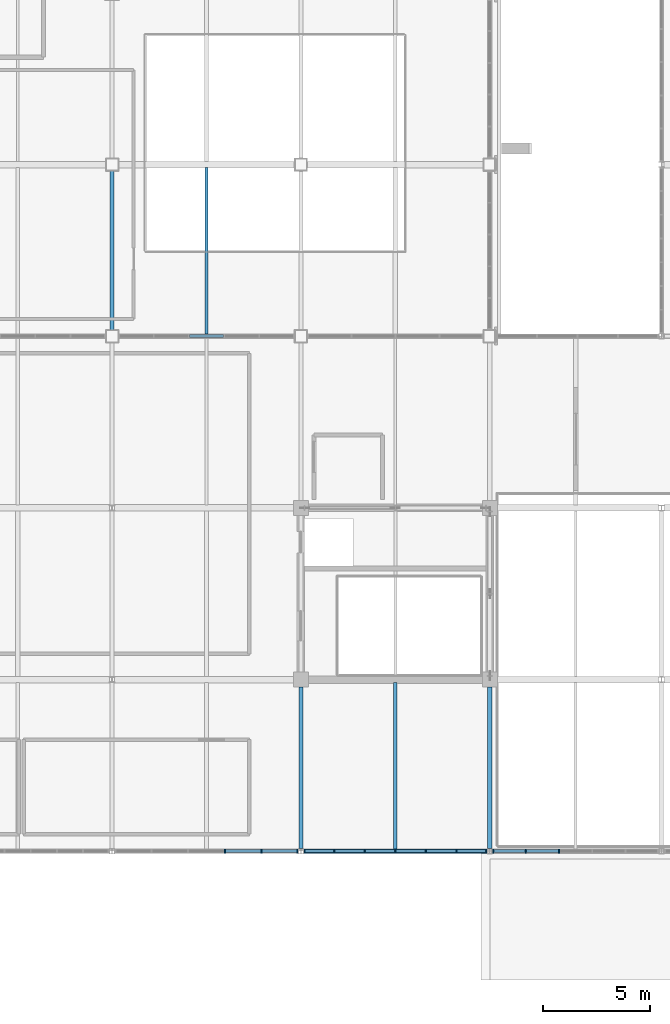
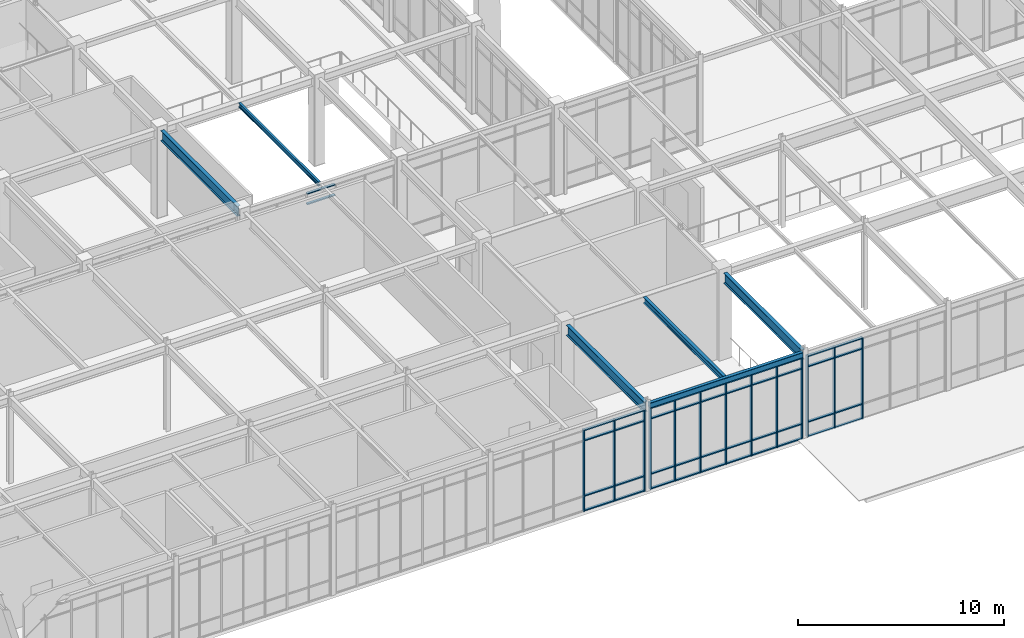
# One storey, part 30 of 184: 55 members, 6 beams, 4 elements without a shape of their own.
"""IFC4 building model written with IfcOpenShell, lengths in metres."""

import ifcopenshell
import ifcopenshell.guid

model = None  # the IFC model being written
_history = None  # IfcOwnerHistory: only IFC2X3 demands one
_inside = {}  # id of a spatial element -> (the spatial element, [elements in it])
_under = {}  # id of a project, library or spatial element -> (it, [spatial elements below it])
_declared = {}  # id of a project -> (the project, [libraries it declares])
_typed = {}  # id of a type object -> (the type object, [elements of that type])
_made_of = {}  # id of a material, layer set ... -> (it, [elements and type objects made of it])


def new_model(schema):
    """Start an empty IFC model of exactly this schema.

    Asked for "IFC4X3", IfcOpenShell would pick the latest addendum, in which some entities
    have other attributes; the version numbers below select the first issue.
    IFC2X3 requires an IfcOwnerHistory on every rooted entity: one is made here for all.
    """
    global model, _history
    if schema == "IFC4X3":
        model = ifcopenshell.file(schema_version=(4, 3, 0, 0))
    else:
        model = ifcopenshell.file(schema=schema)
    _inside.clear()
    _under.clear()
    _declared.clear()
    _typed.clear()
    _made_of.clear()
    _history = None
    if model.schema == "IFC2X3":
        org = make("IfcOrganization", Name="unknown")
        user = make(
            "IfcPersonAndOrganization",
            ThePerson=make("IfcPerson", FamilyName="unknown"),
            TheOrganization=org,
        )
        app = make(
            "IfcApplication",
            ApplicationDeveloper=org,
            Version="unknown",
            ApplicationFullName="unknown",
            ApplicationIdentifier="unknown",
        )
        _history = make(
            "IfcOwnerHistory",
            OwningUser=user,
            OwningApplication=app,
            ChangeAction="ADDED",
            CreationDate=0,
        )
    return model


def make(cls, **values):
    """One entity of the class cls with the attributes given. An attribute that is None is left unset."""
    return model.create_entity(
        cls, **{name: value for name, value in values.items() if value is not None}
    )


def rooted(cls, **values):
    """An entity with a GlobalId (a new one), such as an element, a storey or a relation."""
    return make(cls, GlobalId=ifcopenshell.guid.new(), OwnerHistory=_history, **values)


def si_unit(unit_type, name, prefix=None):
    """IfcSIUnit, for example si_unit("LENGTHUNIT", "METRE", prefix="MILLI")."""
    return make("IfcSIUnit", UnitType=unit_type, Prefix=prefix, Name=name)


def assignment(units):
    """IfcUnitAssignment: the units of a project."""
    return None if units is None else make("IfcUnitAssignment", Units=units)


def point(xyz):
    """IfcCartesianPoint."""
    return None if xyz is None else make("IfcCartesianPoint", Coordinates=xyz)


def direction(xyz):
    """IfcDirection."""
    return None if xyz is None else make("IfcDirection", DirectionRatios=xyz)


def frame(location, z_axis=None, x_axis=None):
    """IfcAxis2Placement3D, a coordinate frame: its origin and axes. An axis left out is left unset."""
    return make(
        "IfcAxis2Placement3D",
        Location=point(location),
        Axis=direction(z_axis),
        RefDirection=direction(x_axis),
    )


def frame_2d(location, x_axis=None):
    """IfcAxis2Placement2D, a coordinate frame in the plane: its origin and x axis."""
    return make(
        "IfcAxis2Placement2D", Location=point(location), RefDirection=direction(x_axis)
    )


def origin():
    """The frame at (0, 0, 0) with its axes left unset."""
    return frame((0.0, 0.0, 0.0))


def origin_2d():
    """The frame at (0, 0) in the plane with its x axis left unset."""
    return frame_2d((0.0, 0.0))


def place(relative_to, where):
    """IfcLocalPlacement: puts the frame where relative to a parent placement (None: the world)."""
    return make(
        "IfcLocalPlacement", PlacementRelTo=relative_to, RelativePlacement=where
    )


def context(
    kind, dimensions, precision=None, world=None, true_north=None, identifier=None
):
    """IfcGeometricRepresentationContext, for example the 3D "Model" context."""
    return make(
        "IfcGeometricRepresentationContext",
        ContextIdentifier=identifier,
        ContextType=kind,
        CoordinateSpaceDimension=dimensions,
        Precision=precision,
        WorldCoordinateSystem=world,
        TrueNorth=true_north,
    )


def subcontext(parent, identifier, kind, view, scale=None):
    """IfcGeometricRepresentationSubContext, for example "Body" below "Model"."""
    return make(
        "IfcGeometricRepresentationSubContext",
        ContextIdentifier=identifier,
        ContextType=kind,
        ParentContext=parent,
        TargetScale=scale,
        TargetView=view,
    )


def project(units=None, contexts=None):
    """IfcProject with its units and contexts."""
    return rooted(
        "IfcProject",
        Name="project",
        RepresentationContexts=contexts,
        UnitsInContext=assignment(units),
    )


def spatial(cls, under=None, at=None, **own):
    """A site, building, storey or space (cls), placed at a placement, below another one or the project."""
    s = rooted(cls, ObjectPlacement=at, **own)
    if under is not None:
        _under.setdefault(under.id(), (under, []))[1].append(s)
    return s


def profile(cls, at=None, kind="AREA", **sizes):
    """A parametric profile (cls). Its sizes go by their IFC names, for example OverallWidth=200.0."""
    return make(cls, ProfileType=kind, Position=at, **sizes)


def rectangle(**sizes):
    """IfcRectangleProfileDef."""
    return profile("IfcRectangleProfileDef", **sizes)


def hollow_rectangle(**sizes):
    """IfcRectangleHollowProfileDef."""
    return profile("IfcRectangleHollowProfileDef", **sizes)


def i_section(**sizes):
    """IfcIShapeProfileDef."""
    return profile("IfcIShapeProfileDef", **sizes)


def extrude(swept, where, along, depth):
    """IfcExtrudedAreaSolid: the profile swept, set in the frame where, extruded along a direction by depth."""
    return make(
        "IfcExtrudedAreaSolid",
        SweptArea=swept,
        Position=where,
        ExtrudedDirection=direction(along),
        Depth=depth,
    )


def shape(context_of_items, identifier, shape_type, items):
    """IfcShapeRepresentation: the items that make up one representation, for example the "Body"."""
    return make(
        "IfcShapeRepresentation",
        ContextOfItems=context_of_items,
        RepresentationIdentifier=identifier,
        RepresentationType=shape_type,
        Items=items,
    )


def material(Name=None, Category=None):
    """IfcMaterial."""
    return make("IfcMaterial", Name=Name, Category=Category)


def material_profile(
    of_material, cross_section, Name=None, Category=None, Priority=None
):
    """IfcMaterialProfile: a cross section and its material."""
    return make(
        "IfcMaterialProfile",
        Name=Name,
        Material=of_material,
        Profile=cross_section,
        Priority=Priority,
        Category=Category,
    )


def profile_set(profiles, Name=None, composite=None):
    """IfcMaterialProfileSet."""
    return make(
        "IfcMaterialProfileSet",
        Name=Name,
        MaterialProfiles=profiles,
        CompositeProfile=composite,
    )


def made_of(thing, what):
    """Note that an element or type object is made of a material, layer set ...; save() writes the relation."""
    if what is not None:
        _made_of.setdefault(what.id(), (what, []))[1].append(thing)
    return thing


def type_object(cls, material=None, **own):
    """A type object (cls), such as IfcWallType, which elements share."""
    return made_of(rooted(cls, **own), material)


def element(
    cls,
    number,
    at=None,
    inside=None,
    cuts=None,
    type_object=None,
    material=None,
    context=None,
    identifier="Body",
    shape_type=None,
    held_by="IfcProductDefinitionShape",
    body=None,
    shapes=None,
    **own,
):
    """One element of the class cls, such as IfcWall. Its Tag is "e" and its number.

    at: its placement. inside: the storey or other place that contains it. cuts: it is an
    opening in that element (IfcRelVoidsElement). A single representation is given by context,
    identifier, shape_type and body (its items); several are given by shapes. held_by: the class
    of the entity that holds the representations. save() writes the other relations.
    """
    e = rooted(cls, Tag="e%d" % number, ObjectPlacement=at, **own)
    if body is not None:
        shapes = [shape(context, identifier, shape_type, body)]
    if shapes is not None:
        e.Representation = make(held_by, Representations=shapes)
    if inside is not None:
        _inside.setdefault(inside.id(), (inside, []))[1].append(e)
    if cuts is not None:
        rooted(
            "IfcRelVoidsElement", RelatingBuildingElement=cuts, RelatedOpeningElement=e
        )
    if type_object is not None:
        _typed.setdefault(type_object.id(), (type_object, []))[1].append(e)
    return made_of(e, material)


def aggregate(whole, parts):
    """IfcRelAggregates: a whole, such as a stair, and the parts it consists of."""
    return rooted("IfcRelAggregates", RelatingObject=whole, RelatedObjects=parts)


def save(model, path):
    """Write the relations noted so far, then the file.

    IfcRelAggregates (storeys below a building ...), IfcRelContainedInSpatialStructure (elements
    in a storey), IfcRelDefinesByType, IfcRelAssociatesMaterial and IfcRelDeclares: one each for
    every whole, place, type object, material and project.
    """
    for whole, parts in _under.values():
        aggregate(whole, parts)
    for where, things in _inside.values():
        rooted(
            "IfcRelContainedInSpatialStructure",
            RelatedElements=things,
            RelatingStructure=where,
        )
    for kind, things in _typed.values():
        rooted("IfcRelDefinesByType", RelatedObjects=things, RelatingType=kind)
    for what, things in _made_of.values():
        rooted("IfcRelAssociatesMaterial", RelatedObjects=things, RelatingMaterial=what)
    for by, libraries in _declared.values():
        rooted("IfcRelDeclares", RelatingContext=by, RelatedDefinitions=libraries)
    model.write(path)


model = new_model("IFC4")

# Units and contexts
model_context = context("Model", 3, precision=1e-05, world=origin(), true_north=direction((0.0, 1.0)))
body_context = subcontext(model_context, "Body", "Model", "MODEL_VIEW")
ifc_project = project(units=[si_unit("LENGTHUNIT", "METRE"), si_unit("AREAUNIT", "SQUARE_METRE"), si_unit("VOLUMEUNIT", "CUBIC_METRE"), si_unit("PLANEANGLEUNIT", "RADIAN"), si_unit("MASSUNIT", "GRAM", prefix="KILO")], contexts=[model_context])

# Site, building, storey
site_placement = place(None, origin())
site = spatial("IfcSite", under=ifc_project, at=site_placement, CompositionType="ELEMENT")
building_placement = place(site_placement, origin())
building = spatial("IfcBuilding", under=site, at=building_placement, Name="Zhaolan Boulevard Law Courts", CompositionType="ELEMENT")
storey_placement = place(building_placement, frame((0.0, 0.0, 5.39990234375)))
storey = spatial("IfcBuildingStorey", under=building, at=storey_placement, Name="L01", CompositionType="ELEMENT", Elevation=5.39990234375)

# Curtain wall, members
ifc_material_1 = material(Name="Thermally broken aluminium and low-E glazing", Category="aluminium")
curtain_wall_type_1 = type_object("IfcCurtainWallType", Name="CURTAIN WALL M7", PredefinedType="USERDEFINED", material=ifc_material_1)
curtain_wall_1_placement = place(storey_placement, origin())
curtain_wall_1 = element("IfcCurtainWall", 1, at=curtain_wall_1_placement, inside=storey, type_object=curtain_wall_type_1, Name="Curtain Wall CW-L01-031", ObjectType="CURTAIN WALL", PredefinedType="USERDEFINED")
ifc_material_2 = material(Name="Fluorocarbon-coated aluminium 6063-T6", Category="aluminium")
ifc_material_profile_1 = material_profile(ifc_material_2, rectangle(XDim=0.179931640625, YDim=0.06494140625, at=origin_2d()), Name="AL65x180")
ifc_profile_set_1 = profile_set([ifc_material_profile_1], Name="Fluorocarbon-coated aluminium 6063-T6")
member_type_1 = type_object("IfcMemberType", Name="CWMULLION 65X180", PredefinedType="MULLION", material=ifc_profile_set_1)
member_1_placement = place(storey_placement, frame((31.654541015625, 6.0, 0.0), z_axis=(0.0, 0.0, 1.0), x_axis=(0.0, 1.0, 0.0)))
member_1 = element("IfcMember", 2, at=member_1_placement, type_object=member_type_1, Name="CW-L01-031 mullion 4", PredefinedType="MULLION", context=body_context, shape_type="SweptSolid", body=[
    extrude(rectangle(XDim=0.179931640625, YDim=0.06494140625, at=origin_2d()), origin(), (0.0, 0.0, 1.0), 4.822998046875),
])
member_2_placement = place(storey_placement, frame((33.36376953125, 6.0, 0.0), z_axis=(0.0, 0.0, 1.0), x_axis=(0.0, 1.0, 0.0)))
member_2 = element("IfcMember", 3, at=member_2_placement, type_object=member_type_1, Name="CW-L01-031 mullion 5", PredefinedType="MULLION", context=body_context, shape_type="SweptSolid", body=[
    extrude(rectangle(XDim=0.179931640625, YDim=0.06494140625, at=origin_2d()), origin(), (0.0, 0.0, 1.0), 4.822998046875),
])
member_3_placement = place(storey_placement, frame((35.04052734375, 6.0, 0.0), z_axis=(0.0, 0.0, 1.0), x_axis=(0.0, 1.0, 0.0)))
member_3 = element("IfcMember", 4, at=member_3_placement, type_object=member_type_1, Name="CW-L01-031 mullion 6", PredefinedType="MULLION", context=body_context, shape_type="SweptSolid", body=[
    extrude(rectangle(XDim=0.179931640625, YDim=0.06494140625, at=origin_2d()), origin(), (0.0, 0.0, 1.0), 4.822998046875),
])

ifc_material_3 = material(Name="Thermally broken aluminium and low-E glazing", Category="aluminium")
curtain_wall_type_2 = type_object("IfcCurtainWallType", Name="CURTAIN WALL M8", PredefinedType="USERDEFINED", material=ifc_material_3)
curtain_wall_2_placement = place(storey_placement, origin())
curtain_wall_2 = element("IfcCurtainWall", 5, at=curtain_wall_2_placement, inside=storey, type_object=curtain_wall_type_2, Name="Curtain Wall CW-L01-032", ObjectType="CURTAIN WALL", PredefinedType="USERDEFINED")
member_4_placement = place(storey_placement, frame((35.359619140625, 6.0, 0.0), z_axis=(0.0, 0.0, 1.0), x_axis=(0.0, 1.0, 0.0)))
member_4 = element("IfcMember", 6, at=member_4_placement, type_object=member_type_1, Name="CW-L01-032 mullion 1", PredefinedType="MULLION", context=body_context, shape_type="SweptSolid", body=[
    extrude(rectangle(XDim=0.179931640625, YDim=0.06494140625, at=origin_2d()), origin(), (0.0, 0.0, 1.0), 4.822998046875),
])
member_5_placement = place(storey_placement, frame((36.751220703125, 6.0, 0.0), z_axis=(0.0, 0.0, 1.0), x_axis=(0.0, 1.0, 0.0)))
member_5 = element("IfcMember", 7, at=member_5_placement, type_object=member_type_1, Name="CW-L01-032 mullion 2", PredefinedType="MULLION", context=body_context, shape_type="SweptSolid", body=[
    extrude(rectangle(XDim=0.179931640625, YDim=0.06494140625, at=origin_2d()), origin(), (0.0, 0.0, 1.0), 4.822998046875),
])
member_6_placement = place(storey_placement, frame((38.17578125, 6.0, 0.0), z_axis=(0.0, 0.0, 1.0), x_axis=(0.0, 1.0, 0.0)))
member_6 = element("IfcMember", 8, at=member_6_placement, type_object=member_type_1, Name="CW-L01-032 mullion 3", PredefinedType="MULLION", context=body_context, shape_type="SweptSolid", body=[
    extrude(rectangle(XDim=0.179931640625, YDim=0.06494140625, at=origin_2d()), origin(), (0.0, 0.0, 1.0), 4.822998046875),
])
member_7_placement = place(storey_placement, frame((39.60009765625, 6.0, 0.0), z_axis=(0.0, 0.0, 1.0), x_axis=(0.0, 1.0, 0.0)))
member_7 = element("IfcMember", 9, at=member_7_placement, type_object=member_type_1, Name="CW-L01-032 mullion 4", PredefinedType="MULLION", context=body_context, shape_type="SweptSolid", body=[
    extrude(rectangle(XDim=0.179931640625, YDim=0.06494140625, at=origin_2d()), origin(), (0.0, 0.0, 1.0), 4.822998046875),
])
member_8_placement = place(storey_placement, frame((41.0244140625, 6.0, 0.0), z_axis=(0.0, 0.0, 1.0), x_axis=(0.0, 1.0, 0.0)))
member_8 = element("IfcMember", 10, at=member_8_placement, type_object=member_type_1, Name="CW-L01-032 mullion 5", PredefinedType="MULLION", context=body_context, shape_type="SweptSolid", body=[
    extrude(rectangle(XDim=0.179931640625, YDim=0.06494140625, at=origin_2d()), origin(), (0.0, 0.0, 1.0), 4.822998046875),
])
member_9_placement = place(storey_placement, frame((42.44873046875, 6.0, 0.0), z_axis=(0.0, 0.0, 1.0), x_axis=(0.0, 1.0, 0.0)))
member_9 = element("IfcMember", 11, at=member_9_placement, type_object=member_type_1, Name="CW-L01-032 mullion 6", PredefinedType="MULLION", context=body_context, shape_type="SweptSolid", body=[
    extrude(rectangle(XDim=0.179931640625, YDim=0.06494140625, at=origin_2d()), origin(), (0.0, 0.0, 1.0), 4.822998046875),
])
member_10_placement = place(storey_placement, frame((43.840576171875, 6.0, 0.0), z_axis=(0.0, 0.0, 1.0), x_axis=(0.0, 1.0, 0.0)))
member_10 = element("IfcMember", 12, at=member_10_placement, type_object=member_type_1, Name="CW-L01-032 mullion 7", PredefinedType="MULLION", context=body_context, shape_type="SweptSolid", body=[
    extrude(rectangle(XDim=0.179931640625, YDim=0.06494140625, at=origin_2d()), origin(), (0.0, 0.0, 1.0), 4.822998046875),
])

ifc_material_4 = material(Name="Thermally broken aluminium and low-E glazing", Category="aluminium")
curtain_wall_type_3 = type_object("IfcCurtainWallType", Name="CURTAIN WALL M9", PredefinedType="USERDEFINED", material=ifc_material_4)
curtain_wall_3_placement = place(storey_placement, origin())
curtain_wall_3 = element("IfcCurtainWall", 13, at=curtain_wall_3_placement, inside=storey, type_object=curtain_wall_type_3, Name="Curtain Wall CW-L01-033", ObjectType="CURTAIN WALL", PredefinedType="USERDEFINED")
member_11_placement = place(storey_placement, frame((44.159423828125, 6.0, 0.0), z_axis=(0.0, 0.0, 1.0), x_axis=(0.0, 1.0, 0.0)))
member_11 = element("IfcMember", 14, at=member_11_placement, type_object=member_type_1, Name="CW-L01-033 mullion 1", PredefinedType="MULLION", context=body_context, shape_type="SweptSolid", body=[
    extrude(rectangle(XDim=0.179931640625, YDim=0.06494140625, at=origin_2d()), origin(), (0.0, 0.0, 1.0), 4.822998046875),
])
member_12_placement = place(storey_placement, frame((45.67626953125, 6.0, 0.0), z_axis=(0.0, 0.0, 1.0), x_axis=(0.0, 1.0, 0.0)))
member_12 = element("IfcMember", 15, at=member_12_placement, type_object=member_type_1, Name="CW-L01-033 mullion 2", PredefinedType="MULLION", context=body_context, shape_type="SweptSolid", body=[
    extrude(rectangle(XDim=0.179931640625, YDim=0.06494140625, at=origin_2d()), origin(), (0.0, 0.0, 1.0), 4.822998046875),
])
member_13_placement = place(storey_placement, frame((47.225341796875, 6.0, 0.0), z_axis=(0.0, 0.0, 1.0), x_axis=(0.0, 1.0, 0.0)))
member_13 = element("IfcMember", 16, at=member_13_placement, type_object=member_type_1, Name="CW-L01-033 mullion 3", PredefinedType="MULLION", context=body_context, shape_type="SweptSolid", body=[
    extrude(rectangle(XDim=0.179931640625, YDim=0.06494140625, at=origin_2d()), origin(), (0.0, 0.0, 1.0), 4.822998046875),
])

# Member
ifc_material_5 = material(Name="Fluorocarbon-coated aluminium 6063-T6", Category="aluminium")
ifc_material_profile_2 = material_profile(ifc_material_5, rectangle(XDim=0.139892578125, YDim=0.06494140625, at=origin_2d()), Name="AL65x140")
ifc_profile_set_2 = profile_set([ifc_material_profile_2], Name="Fluorocarbon-coated aluminium 6063-T6")
member_type_2 = type_object("IfcMemberType", Name="CWTRANSOM 65X140", PredefinedType="USERDEFINED", material=ifc_profile_set_2)
member_14_placement = place(storey_placement, frame((31.68701171875, 6.0, 0.03271484375), z_axis=(1.0, 0.0, 0.0), x_axis=(0.0, 1.0, 0.0)))
member_14 = element("IfcMember", 17, at=member_14_placement, type_object=member_type_2, Name="CW-L01-031 transom 4.1", ObjectType="TRANSOM", PredefinedType="USERDEFINED", context=body_context, shape_type="SweptSolid", body=[
    extrude(rectangle(XDim=0.139892578125, YDim=0.06494140625, at=origin_2d()), origin(), (0.0, 0.0, 1.0), 1.644287109375),
])

member_15_placement = place(storey_placement, frame((31.68701171875, 6.0, 0.900146484375), z_axis=(1.0, 0.0, 0.0), x_axis=(0.0, 1.0, 0.0)))
member_15 = element("IfcMember", 18, at=member_15_placement, type_object=member_type_2, Name="CW-L01-031 transom 4.2", ObjectType="TRANSOM", PredefinedType="USERDEFINED", context=body_context, shape_type="SweptSolid", body=[
    extrude(rectangle(XDim=0.139892578125, YDim=0.06494140625, at=origin_2d()), origin(), (0.0, 0.0, 1.0), 1.644287109375),
])

member_16_placement = place(storey_placement, frame((31.68701171875, 6.0, 4.173095703125), z_axis=(1.0, 0.0, 0.0), x_axis=(0.0, 1.0, 0.0)))
member_16 = element("IfcMember", 19, at=member_16_placement, type_object=member_type_2, Name="CW-L01-031 transom 4.3", ObjectType="TRANSOM", PredefinedType="USERDEFINED", context=body_context, shape_type="SweptSolid", body=[
    extrude(rectangle(XDim=0.139892578125, YDim=0.06494140625, at=origin_2d()), origin(), (0.0, 0.0, 1.0), 1.644287109375),
])

member_17_placement = place(storey_placement, frame((31.68701171875, 6.0, 4.79052734375), z_axis=(1.0, 0.0, 0.0), x_axis=(0.0, 1.0, 0.0)))
member_17 = element("IfcMember", 20, at=member_17_placement, type_object=member_type_2, Name="CW-L01-031 transom 4.4", ObjectType="TRANSOM", PredefinedType="USERDEFINED", context=body_context, shape_type="SweptSolid", body=[
    extrude(rectangle(XDim=0.139892578125, YDim=0.06494140625, at=origin_2d()), origin(), (0.0, 0.0, 1.0), 1.644287109375),
])

member_18_placement = place(storey_placement, frame((33.396240234375, 6.0, 0.03271484375), z_axis=(1.0, 0.0, 0.0), x_axis=(0.0, 1.0, 0.0)))
member_18 = element("IfcMember", 21, at=member_18_placement, type_object=member_type_2, Name="CW-L01-031 transom 5.1", ObjectType="TRANSOM", PredefinedType="USERDEFINED", context=body_context, shape_type="SweptSolid", body=[
    extrude(rectangle(XDim=0.139892578125, YDim=0.06494140625, at=origin_2d()), origin(), (0.0, 0.0, 1.0), 1.61181640625),
])

member_19_placement = place(storey_placement, frame((33.396240234375, 6.0, 0.900146484375), z_axis=(1.0, 0.0, 0.0), x_axis=(0.0, 1.0, 0.0)))
member_19 = element("IfcMember", 22, at=member_19_placement, type_object=member_type_2, Name="CW-L01-031 transom 5.2", ObjectType="TRANSOM", PredefinedType="USERDEFINED", context=body_context, shape_type="SweptSolid", body=[
    extrude(rectangle(XDim=0.139892578125, YDim=0.06494140625, at=origin_2d()), origin(), (0.0, 0.0, 1.0), 1.61181640625),
])

member_20_placement = place(storey_placement, frame((33.396240234375, 6.0, 4.173095703125), z_axis=(1.0, 0.0, 0.0), x_axis=(0.0, 1.0, 0.0)))
member_20 = element("IfcMember", 23, at=member_20_placement, type_object=member_type_2, Name="CW-L01-031 transom 5.3", ObjectType="TRANSOM", PredefinedType="USERDEFINED", context=body_context, shape_type="SweptSolid", body=[
    extrude(rectangle(XDim=0.139892578125, YDim=0.06494140625, at=origin_2d()), origin(), (0.0, 0.0, 1.0), 1.61181640625),
])

member_21_placement = place(storey_placement, frame((33.396240234375, 6.0, 4.79052734375), z_axis=(1.0, 0.0, 0.0), x_axis=(0.0, 1.0, 0.0)))
member_21 = element("IfcMember", 24, at=member_21_placement, type_object=member_type_2, Name="CW-L01-031 transom 5.4", ObjectType="TRANSOM", PredefinedType="USERDEFINED", context=body_context, shape_type="SweptSolid", body=[
    extrude(rectangle(XDim=0.139892578125, YDim=0.06494140625, at=origin_2d()), origin(), (0.0, 0.0, 1.0), 1.61181640625),
])

aggregate(curtain_wall_1, [member_1, member_2, member_3, member_14, member_15, member_16, member_17, member_18, member_19, member_20, member_21])

member_22_placement = place(storey_placement, frame((35.39208984375, 6.0, 0.03271484375), z_axis=(1.0, 0.0, 0.0), x_axis=(0.0, 1.0, 0.0)))
member_22 = element("IfcMember", 25, at=member_22_placement, type_object=member_type_2, Name="CW-L01-032 transom 1.1", ObjectType="TRANSOM", PredefinedType="USERDEFINED", context=body_context, shape_type="SweptSolid", body=[
    extrude(rectangle(XDim=0.139892578125, YDim=0.06494140625, at=origin_2d()), origin(), (0.0, 0.0, 1.0), 1.32666015625),
])

member_23_placement = place(storey_placement, frame((35.39208984375, 6.0, 0.900146484375), z_axis=(1.0, 0.0, 0.0), x_axis=(0.0, 1.0, 0.0)))
member_23 = element("IfcMember", 26, at=member_23_placement, type_object=member_type_2, Name="CW-L01-032 transom 1.2", ObjectType="TRANSOM", PredefinedType="USERDEFINED", context=body_context, shape_type="SweptSolid", body=[
    extrude(rectangle(XDim=0.139892578125, YDim=0.06494140625, at=origin_2d()), origin(), (0.0, 0.0, 1.0), 1.32666015625),
])

member_24_placement = place(storey_placement, frame((35.39208984375, 6.0, 4.173095703125), z_axis=(1.0, 0.0, 0.0), x_axis=(0.0, 1.0, 0.0)))
member_24 = element("IfcMember", 27, at=member_24_placement, type_object=member_type_2, Name="CW-L01-032 transom 1.3", ObjectType="TRANSOM", PredefinedType="USERDEFINED", context=body_context, shape_type="SweptSolid", body=[
    extrude(rectangle(XDim=0.139892578125, YDim=0.06494140625, at=origin_2d()), origin(), (0.0, 0.0, 1.0), 1.32666015625),
])

member_25_placement = place(storey_placement, frame((35.39208984375, 6.0, 4.79052734375), z_axis=(1.0, 0.0, 0.0), x_axis=(0.0, 1.0, 0.0)))
member_25 = element("IfcMember", 28, at=member_25_placement, type_object=member_type_2, Name="CW-L01-032 transom 1.4", ObjectType="TRANSOM", PredefinedType="USERDEFINED", context=body_context, shape_type="SweptSolid", body=[
    extrude(rectangle(XDim=0.139892578125, YDim=0.06494140625, at=origin_2d()), origin(), (0.0, 0.0, 1.0), 1.32666015625),
])

member_26_placement = place(storey_placement, frame((36.783935546875, 6.0, 0.03271484375), z_axis=(1.0, 0.0, 0.0), x_axis=(0.0, 1.0, 0.0)))
member_26 = element("IfcMember", 29, at=member_26_placement, type_object=member_type_2, Name="CW-L01-032 transom 2.1", ObjectType="TRANSOM", PredefinedType="USERDEFINED", context=body_context, shape_type="SweptSolid", body=[
    extrude(rectangle(XDim=0.139892578125, YDim=0.06494140625, at=origin_2d()), origin(), (0.0, 0.0, 1.0), 1.359130859375),
])

member_27_placement = place(storey_placement, frame((36.783935546875, 6.0, 0.900146484375), z_axis=(1.0, 0.0, 0.0), x_axis=(0.0, 1.0, 0.0)))
member_27 = element("IfcMember", 30, at=member_27_placement, type_object=member_type_2, Name="CW-L01-032 transom 2.2", ObjectType="TRANSOM", PredefinedType="USERDEFINED", context=body_context, shape_type="SweptSolid", body=[
    extrude(rectangle(XDim=0.139892578125, YDim=0.06494140625, at=origin_2d()), origin(), (0.0, 0.0, 1.0), 1.359130859375),
])

member_28_placement = place(storey_placement, frame((36.783935546875, 6.0, 4.173095703125), z_axis=(1.0, 0.0, 0.0), x_axis=(0.0, 1.0, 0.0)))
member_28 = element("IfcMember", 31, at=member_28_placement, type_object=member_type_2, Name="CW-L01-032 transom 2.3", ObjectType="TRANSOM", PredefinedType="USERDEFINED", context=body_context, shape_type="SweptSolid", body=[
    extrude(rectangle(XDim=0.139892578125, YDim=0.06494140625, at=origin_2d()), origin(), (0.0, 0.0, 1.0), 1.359130859375),
])

member_29_placement = place(storey_placement, frame((36.783935546875, 6.0, 4.79052734375), z_axis=(1.0, 0.0, 0.0), x_axis=(0.0, 1.0, 0.0)))
member_29 = element("IfcMember", 32, at=member_29_placement, type_object=member_type_2, Name="CW-L01-032 transom 2.4", ObjectType="TRANSOM", PredefinedType="USERDEFINED", context=body_context, shape_type="SweptSolid", body=[
    extrude(rectangle(XDim=0.139892578125, YDim=0.06494140625, at=origin_2d()), origin(), (0.0, 0.0, 1.0), 1.359130859375),
])

member_30_placement = place(storey_placement, frame((38.208251953125, 6.0, 0.03271484375), z_axis=(1.0, 0.0, 0.0), x_axis=(0.0, 1.0, 0.0)))
member_30 = element("IfcMember", 33, at=member_30_placement, type_object=member_type_2, Name="CW-L01-032 transom 3.1", ObjectType="TRANSOM", PredefinedType="USERDEFINED", context=body_context, shape_type="SweptSolid", body=[
    extrude(rectangle(XDim=0.139892578125, YDim=0.06494140625, at=origin_2d()), origin(), (0.0, 0.0, 1.0), 1.359130859375),
])

member_31_placement = place(storey_placement, frame((38.208251953125, 6.0, 0.900146484375), z_axis=(1.0, 0.0, 0.0), x_axis=(0.0, 1.0, 0.0)))
member_31 = element("IfcMember", 34, at=member_31_placement, type_object=member_type_2, Name="CW-L01-032 transom 3.2", ObjectType="TRANSOM", PredefinedType="USERDEFINED", context=body_context, shape_type="SweptSolid", body=[
    extrude(rectangle(XDim=0.139892578125, YDim=0.06494140625, at=origin_2d()), origin(), (0.0, 0.0, 1.0), 1.359130859375),
])

member_32_placement = place(storey_placement, frame((38.208251953125, 6.0, 4.173095703125), z_axis=(1.0, 0.0, 0.0), x_axis=(0.0, 1.0, 0.0)))
member_32 = element("IfcMember", 35, at=member_32_placement, type_object=member_type_2, Name="CW-L01-032 transom 3.3", ObjectType="TRANSOM", PredefinedType="USERDEFINED", context=body_context, shape_type="SweptSolid", body=[
    extrude(rectangle(XDim=0.139892578125, YDim=0.06494140625, at=origin_2d()), origin(), (0.0, 0.0, 1.0), 1.359130859375),
])

member_33_placement = place(storey_placement, frame((38.208251953125, 6.0, 4.79052734375), z_axis=(1.0, 0.0, 0.0), x_axis=(0.0, 1.0, 0.0)))
member_33 = element("IfcMember", 36, at=member_33_placement, type_object=member_type_2, Name="CW-L01-032 transom 3.4", ObjectType="TRANSOM", PredefinedType="USERDEFINED", context=body_context, shape_type="SweptSolid", body=[
    extrude(rectangle(XDim=0.139892578125, YDim=0.06494140625, at=origin_2d()), origin(), (0.0, 0.0, 1.0), 1.359130859375),
])

member_34_placement = place(storey_placement, frame((39.632568359375, 6.0, 0.03271484375), z_axis=(1.0, 0.0, 0.0), x_axis=(0.0, 1.0, 0.0)))
member_34 = element("IfcMember", 37, at=member_34_placement, type_object=member_type_2, Name="CW-L01-032 transom 4.1", ObjectType="TRANSOM", PredefinedType="USERDEFINED", context=body_context, shape_type="SweptSolid", body=[
    extrude(rectangle(XDim=0.139892578125, YDim=0.06494140625, at=origin_2d()), origin(), (0.0, 0.0, 1.0), 1.359375),
])

member_35_placement = place(storey_placement, frame((39.632568359375, 6.0, 0.900146484375), z_axis=(1.0, 0.0, 0.0), x_axis=(0.0, 1.0, 0.0)))
member_35 = element("IfcMember", 38, at=member_35_placement, type_object=member_type_2, Name="CW-L01-032 transom 4.2", ObjectType="TRANSOM", PredefinedType="USERDEFINED", context=body_context, shape_type="SweptSolid", body=[
    extrude(rectangle(XDim=0.139892578125, YDim=0.06494140625, at=origin_2d()), origin(), (0.0, 0.0, 1.0), 1.359375),
])

member_36_placement = place(storey_placement, frame((39.632568359375, 6.0, 4.173095703125), z_axis=(1.0, 0.0, 0.0), x_axis=(0.0, 1.0, 0.0)))
member_36 = element("IfcMember", 39, at=member_36_placement, type_object=member_type_2, Name="CW-L01-032 transom 4.3", ObjectType="TRANSOM", PredefinedType="USERDEFINED", context=body_context, shape_type="SweptSolid", body=[
    extrude(rectangle(XDim=0.139892578125, YDim=0.06494140625, at=origin_2d()), origin(), (0.0, 0.0, 1.0), 1.359375),
])

member_37_placement = place(storey_placement, frame((39.632568359375, 6.0, 4.79052734375), z_axis=(1.0, 0.0, 0.0), x_axis=(0.0, 1.0, 0.0)))
member_37 = element("IfcMember", 40, at=member_37_placement, type_object=member_type_2, Name="CW-L01-032 transom 4.4", ObjectType="TRANSOM", PredefinedType="USERDEFINED", context=body_context, shape_type="SweptSolid", body=[
    extrude(rectangle(XDim=0.139892578125, YDim=0.06494140625, at=origin_2d()), origin(), (0.0, 0.0, 1.0), 1.359375),
])

member_38_placement = place(storey_placement, frame((41.056884765625, 6.0, 0.03271484375), z_axis=(1.0, 0.0, 0.0), x_axis=(0.0, 1.0, 0.0)))
member_38 = element("IfcMember", 41, at=member_38_placement, type_object=member_type_2, Name="CW-L01-032 transom 5.1", ObjectType="TRANSOM", PredefinedType="USERDEFINED", context=body_context, shape_type="SweptSolid", body=[
    extrude(rectangle(XDim=0.139892578125, YDim=0.06494140625, at=origin_2d()), origin(), (0.0, 0.0, 1.0), 1.359375),
])

member_39_placement = place(storey_placement, frame((41.056884765625, 6.0, 0.900146484375), z_axis=(1.0, 0.0, 0.0), x_axis=(0.0, 1.0, 0.0)))
member_39 = element("IfcMember", 42, at=member_39_placement, type_object=member_type_2, Name="CW-L01-032 transom 5.2", ObjectType="TRANSOM", PredefinedType="USERDEFINED", context=body_context, shape_type="SweptSolid", body=[
    extrude(rectangle(XDim=0.139892578125, YDim=0.06494140625, at=origin_2d()), origin(), (0.0, 0.0, 1.0), 1.359375),
])

member_40_placement = place(storey_placement, frame((41.056884765625, 6.0, 4.173095703125), z_axis=(1.0, 0.0, 0.0), x_axis=(0.0, 1.0, 0.0)))
member_40 = element("IfcMember", 43, at=member_40_placement, type_object=member_type_2, Name="CW-L01-032 transom 5.3", ObjectType="TRANSOM", PredefinedType="USERDEFINED", context=body_context, shape_type="SweptSolid", body=[
    extrude(rectangle(XDim=0.139892578125, YDim=0.06494140625, at=origin_2d()), origin(), (0.0, 0.0, 1.0), 1.359375),
])

member_41_placement = place(storey_placement, frame((41.056884765625, 6.0, 4.79052734375), z_axis=(1.0, 0.0, 0.0), x_axis=(0.0, 1.0, 0.0)))
member_41 = element("IfcMember", 44, at=member_41_placement, type_object=member_type_2, Name="CW-L01-032 transom 5.4", ObjectType="TRANSOM", PredefinedType="USERDEFINED", context=body_context, shape_type="SweptSolid", body=[
    extrude(rectangle(XDim=0.139892578125, YDim=0.06494140625, at=origin_2d()), origin(), (0.0, 0.0, 1.0), 1.359375),
])

member_42_placement = place(storey_placement, frame((42.481201171875, 6.0, 0.03271484375), z_axis=(1.0, 0.0, 0.0), x_axis=(0.0, 1.0, 0.0)))
member_42 = element("IfcMember", 45, at=member_42_placement, type_object=member_type_2, Name="CW-L01-032 transom 6.1", ObjectType="TRANSOM", PredefinedType="USERDEFINED", context=body_context, shape_type="SweptSolid", body=[
    extrude(rectangle(XDim=0.139892578125, YDim=0.06494140625, at=origin_2d()), origin(), (0.0, 0.0, 1.0), 1.326904296875),
])

member_43_placement = place(storey_placement, frame((42.481201171875, 6.0, 0.900146484375), z_axis=(1.0, 0.0, 0.0), x_axis=(0.0, 1.0, 0.0)))
member_43 = element("IfcMember", 46, at=member_43_placement, type_object=member_type_2, Name="CW-L01-032 transom 6.2", ObjectType="TRANSOM", PredefinedType="USERDEFINED", context=body_context, shape_type="SweptSolid", body=[
    extrude(rectangle(XDim=0.139892578125, YDim=0.06494140625, at=origin_2d()), origin(), (0.0, 0.0, 1.0), 1.326904296875),
])

member_44_placement = place(storey_placement, frame((42.481201171875, 6.0, 4.173095703125), z_axis=(1.0, 0.0, 0.0), x_axis=(0.0, 1.0, 0.0)))
member_44 = element("IfcMember", 47, at=member_44_placement, type_object=member_type_2, Name="CW-L01-032 transom 6.3", ObjectType="TRANSOM", PredefinedType="USERDEFINED", context=body_context, shape_type="SweptSolid", body=[
    extrude(rectangle(XDim=0.139892578125, YDim=0.06494140625, at=origin_2d()), origin(), (0.0, 0.0, 1.0), 1.326904296875),
])

member_45_placement = place(storey_placement, frame((42.481201171875, 6.0, 4.79052734375), z_axis=(1.0, 0.0, 0.0), x_axis=(0.0, 1.0, 0.0)))
member_45 = element("IfcMember", 48, at=member_45_placement, type_object=member_type_2, Name="CW-L01-032 transom 6.4", ObjectType="TRANSOM", PredefinedType="USERDEFINED", context=body_context, shape_type="SweptSolid", body=[
    extrude(rectangle(XDim=0.139892578125, YDim=0.06494140625, at=origin_2d()), origin(), (0.0, 0.0, 1.0), 1.326904296875),
])

aggregate(curtain_wall_2, [member_4, member_5, member_6, member_7, member_8, member_9, member_10, member_22, member_23, member_24, member_25, member_26, member_27, member_28, member_29, member_30, member_31, member_32, member_33, member_34, member_35, member_36, member_37, member_38, member_39, member_40, member_41, member_42, member_43, member_44, member_45])

member_46_placement = place(storey_placement, frame((44.19189453125, 6.0, 0.03271484375), z_axis=(1.0, 0.0, 0.0), x_axis=(0.0, 1.0, 0.0)))
member_46 = element("IfcMember", 49, at=member_46_placement, type_object=member_type_2, Name="CW-L01-033 transom 1.1", ObjectType="TRANSOM", PredefinedType="USERDEFINED", context=body_context, shape_type="SweptSolid", body=[
    extrude(rectangle(XDim=0.139892578125, YDim=0.06494140625, at=origin_2d()), origin(), (0.0, 0.0, 1.0), 1.451904296875),
])

member_47_placement = place(storey_placement, frame((44.19189453125, 6.0, 0.900146484375), z_axis=(1.0, 0.0, 0.0), x_axis=(0.0, 1.0, 0.0)))
member_47 = element("IfcMember", 50, at=member_47_placement, type_object=member_type_2, Name="CW-L01-033 transom 1.2", ObjectType="TRANSOM", PredefinedType="USERDEFINED", context=body_context, shape_type="SweptSolid", body=[
    extrude(rectangle(XDim=0.139892578125, YDim=0.06494140625, at=origin_2d()), origin(), (0.0, 0.0, 1.0), 1.451904296875),
])

member_48_placement = place(storey_placement, frame((44.19189453125, 6.0, 4.173095703125), z_axis=(1.0, 0.0, 0.0), x_axis=(0.0, 1.0, 0.0)))
member_48 = element("IfcMember", 51, at=member_48_placement, type_object=member_type_2, Name="CW-L01-033 transom 1.3", ObjectType="TRANSOM", PredefinedType="USERDEFINED", context=body_context, shape_type="SweptSolid", body=[
    extrude(rectangle(XDim=0.139892578125, YDim=0.06494140625, at=origin_2d()), origin(), (0.0, 0.0, 1.0), 1.451904296875),
])

member_49_placement = place(storey_placement, frame((44.19189453125, 6.0, 4.79052734375), z_axis=(1.0, 0.0, 0.0), x_axis=(0.0, 1.0, 0.0)))
member_49 = element("IfcMember", 52, at=member_49_placement, type_object=member_type_2, Name="CW-L01-033 transom 1.4", ObjectType="TRANSOM", PredefinedType="USERDEFINED", context=body_context, shape_type="SweptSolid", body=[
    extrude(rectangle(XDim=0.139892578125, YDim=0.06494140625, at=origin_2d()), origin(), (0.0, 0.0, 1.0), 1.451904296875),
])

member_50_placement = place(storey_placement, frame((45.708740234375, 6.0, 0.03271484375), z_axis=(1.0, 0.0, 0.0), x_axis=(0.0, 1.0, 0.0)))
member_50 = element("IfcMember", 53, at=member_50_placement, type_object=member_type_2, Name="CW-L01-033 transom 2.1", ObjectType="TRANSOM", PredefinedType="USERDEFINED", context=body_context, shape_type="SweptSolid", body=[
    extrude(rectangle(XDim=0.139892578125, YDim=0.06494140625, at=origin_2d()), origin(), (0.0, 0.0, 1.0), 1.484130859375),
])

member_51_placement = place(storey_placement, frame((45.708740234375, 6.0, 0.900146484375), z_axis=(1.0, 0.0, 0.0), x_axis=(0.0, 1.0, 0.0)))
member_51 = element("IfcMember", 54, at=member_51_placement, type_object=member_type_2, Name="CW-L01-033 transom 2.2", ObjectType="TRANSOM", PredefinedType="USERDEFINED", context=body_context, shape_type="SweptSolid", body=[
    extrude(rectangle(XDim=0.139892578125, YDim=0.06494140625, at=origin_2d()), origin(), (0.0, 0.0, 1.0), 1.484130859375),
])

member_52_placement = place(storey_placement, frame((45.708740234375, 6.0, 4.173095703125), z_axis=(1.0, 0.0, 0.0), x_axis=(0.0, 1.0, 0.0)))
member_52 = element("IfcMember", 55, at=member_52_placement, type_object=member_type_2, Name="CW-L01-033 transom 2.3", ObjectType="TRANSOM", PredefinedType="USERDEFINED", context=body_context, shape_type="SweptSolid", body=[
    extrude(rectangle(XDim=0.139892578125, YDim=0.06494140625, at=origin_2d()), origin(), (0.0, 0.0, 1.0), 1.484130859375),
])

member_53_placement = place(storey_placement, frame((45.708740234375, 6.0, 4.79052734375), z_axis=(1.0, 0.0, 0.0), x_axis=(0.0, 1.0, 0.0)))
member_53 = element("IfcMember", 56, at=member_53_placement, type_object=member_type_2, Name="CW-L01-033 transom 2.4", ObjectType="TRANSOM", PredefinedType="USERDEFINED", context=body_context, shape_type="SweptSolid", body=[
    extrude(rectangle(XDim=0.139892578125, YDim=0.06494140625, at=origin_2d()), origin(), (0.0, 0.0, 1.0), 1.484130859375),
])

aggregate(curtain_wall_3, [member_11, member_12, member_13, member_46, member_47, member_48, member_49, member_50, member_51, member_52, member_53])

# Curtain wall, members
ifc_material_6 = material(Name="Thermally broken aluminium and low-E glazing", Category="aluminium")
curtain_wall_type_4 = type_object("IfcCurtainWallType", Name="CURTAIN WALL M22", PredefinedType="USERDEFINED", material=ifc_material_6)
curtain_wall_4_placement = place(storey_placement, origin())
curtain_wall_4 = element("IfcCurtainWall", 57, at=curtain_wall_4_placement, inside=storey, type_object=curtain_wall_type_4, Name="Curtain Wall CW-L01-046", ObjectType="CURTAIN WALL", PredefinedType="USERDEFINED")
member_54_placement = place(storey_placement, frame((31.587158203125, 30.0, 4.173095703125), z_axis=(-1.0, 0.0, 0.0), x_axis=(0.0, -1.0, 0.0)))
member_54 = element("IfcMember", 58, at=member_54_placement, type_object=member_type_2, Name="CW-L01-046 transom 3.3", ObjectType="TRANSOM", PredefinedType="USERDEFINED", context=body_context, shape_type="SweptSolid", body=[
    extrude(rectangle(XDim=0.139892578125, YDim=0.06494140625, at=origin_2d()), origin(), (0.0, 0.0, 1.0), 1.57421875),
])
member_55_placement = place(storey_placement, frame((31.587158203125, 30.0, 4.79052734375), z_axis=(-1.0, 0.0, 0.0), x_axis=(0.0, -1.0, 0.0)))
member_55 = element("IfcMember", 59, at=member_55_placement, type_object=member_type_2, Name="CW-L01-046 transom 3.4", ObjectType="TRANSOM", PredefinedType="USERDEFINED", context=body_context, shape_type="SweptSolid", body=[
    extrude(rectangle(XDim=0.139892578125, YDim=0.06494140625, at=origin_2d()), origin(), (0.0, 0.0, 1.0), 1.57421875),
])
aggregate(curtain_wall_4, [member_54, member_55])

# Beams
ifc_material_7 = material(Name="Structural steel Q355B", Category="steel")
ifc_material_profile_3 = material_profile(ifc_material_7, i_section(OverallWidth=0.199951171875, OverallDepth=0.60009765625, WebThickness=0.010986328125, FlangeThickness=0.01708984375, FilletRadius=0.02001953125, at=origin_2d()), Name="HN600x200")
ifc_profile_set_3 = profile_set([ifc_material_profile_3], Name="Structural steel Q355B")
beam_type_1 = type_object("IfcBeamType", Name="GIRDER HN600", PredefinedType="BEAM", material=ifc_profile_set_3)
beam_1_placement = place(storey_placement, frame((26.39990234375, 30.2958984375, 4.838134765625), z_axis=(0.0, 1.0, 0.0), x_axis=(-1.0, 0.0, 0.0)))
element("IfcBeam", 60, at=beam_1_placement, inside=storey, type_object=beam_type_1, Name="Beam BY-L02-4-E-F", PredefinedType="BEAM", context=body_context, shape_type="SweptSolid", body=[
    extrude(i_section(OverallWidth=0.199951171875, OverallDepth=0.60009765625, WebThickness=0.010986328125, FlangeThickness=0.01708984375, FilletRadius=0.02001953125, at=origin_2d()), origin(), (0.0, 0.0, 1.0), 7.408203125),
])
for number, where, z_axis, x_axis, name in (
    (61, (35.199951171875, 6.12109375, 4.838134765625), (0.0, 1.0, 0.0), (-1.0, 0.0, 0.0), "Beam BY-L02-5-B-C"),
    (62, (44.0, 6.12109375, 4.838134765625), (0.0, 1.0, 0.0), (-1.0, 0.0, 0.0), "Beam BY-L02-6-B-C"),
):
    element("IfcBeam", number, at=place(storey_placement, frame(where, z_axis=z_axis, x_axis=x_axis)), inside=storey, type_object=beam_type_1, Name=name, PredefinedType="BEAM", context=body_context, shape_type="SweptSolid", body=[
        extrude(i_section(OverallWidth=0.199951171875, OverallDepth=0.60009765625, WebThickness=0.010986328125, FlangeThickness=0.01708984375, FilletRadius=0.02001953125, at=origin_2d()), origin(), (0.0, 0.0, 1.0), 7.532958984375),
    ])
ifc_material_8 = material(Name="Structural steel Q355B", Category="steel")
ifc_material_profile_4 = material_profile(ifc_material_8, i_section(OverallWidth=0.125, OverallDepth=0.25, WebThickness=0.006103515625, FlangeThickness=0.009033203125, FilletRadius=0.010009765625, at=origin_2d()), Name="HN250x125")
ifc_profile_set_4 = profile_set([ifc_material_profile_4], Name="Structural steel Q355B")
beam_type_2 = type_object("IfcBeamType", Name="JOIST HN250", PredefinedType="JOIST", material=ifc_profile_set_4)
beam_2_placement = place(storey_placement, frame((30.800048828125, 30.095947265625, 5.01318359375), z_axis=(0.0, 1.0, 0.0), x_axis=(-1.0, 0.0, 0.0)))
element("IfcBeam", 63, at=beam_2_placement, inside=storey, type_object=beam_type_2, Name="Composite Joist J-L02-4E", PredefinedType="JOIST", context=body_context, shape_type="SweptSolid", body=[
    extrude(i_section(OverallWidth=0.125, OverallDepth=0.25, WebThickness=0.006103515625, FlangeThickness=0.009033203125, FilletRadius=0.010009765625, at=origin_2d()), origin(), (0.0, 0.0, 1.0), 7.758056640625),
])
ifc_material_9 = material(Name="Structural steel Q355B", Category="steel")
ifc_material_profile_5 = material_profile(ifc_material_9, i_section(OverallWidth=0.175048828125, OverallDepth=0.35009765625, WebThickness=0.007080078125, FlangeThickness=0.010986328125, FilletRadius=0.012939453125, at=origin_2d()), Name="HN350x175")
ifc_profile_set_5 = profile_set([ifc_material_profile_5], Name="Structural steel Q355B")
beam_type_3 = type_object("IfcBeamType", Name="JOIST HN350", PredefinedType="JOIST", material=ifc_profile_set_5)
beam_3_placement = place(storey_placement, frame((39.60009765625, 6.095947265625, 4.963134765625), z_axis=(0.0, 1.0, 0.0), x_axis=(-1.0, 0.0, 0.0)))
element("IfcBeam", 64, at=beam_3_placement, inside=storey, type_object=beam_type_3, Name="Composite Joist J-L02-5B", PredefinedType="JOIST", context=body_context, shape_type="SweptSolid", body=[
    extrude(i_section(OverallWidth=0.175048828125, OverallDepth=0.35009765625, WebThickness=0.007080078125, FlangeThickness=0.010986328125, FilletRadius=0.012939453125, at=origin_2d()), origin(), (0.0, 0.0, 1.0), 7.758056640625),
])
ifc_material_10 = material(Name="Structural steel Q355B", Category="steel")
ifc_material_profile_6 = material_profile(ifc_material_10, hollow_rectangle(XDim=0.199951171875, YDim=0.300048828125, WallThickness=0.011962890625, InnerFilletRadius=0.011962890625, OuterFilletRadius=0.02392578125, at=origin_2d()), Name="HSS300x200x12")
ifc_profile_set_6 = profile_set([ifc_material_profile_6], Name="Structural steel Q355B")
beam_type_4 = type_object("IfcBeamType", Name="SPANDREL HSS300", PredefinedType="SPANDREL", material=ifc_profile_set_6)
beam_4_placement = place(storey_placement, frame((35.321044921875, 6.0, 4.988037109375), z_axis=(1.0, 0.0, 0.0), x_axis=(0.0, 1.0, 0.0)))
element("IfcBeam", 65, at=beam_4_placement, inside=storey, type_object=beam_type_4, Name="Beam BX-L02-5-6-B", PredefinedType="SPANDREL", context=body_context, shape_type="SweptSolid", body=[
    extrude(hollow_rectangle(XDim=0.199951171875, YDim=0.300048828125, WallThickness=0.011962890625, InnerFilletRadius=0.011962890625, OuterFilletRadius=0.02392578125, at=origin_2d()), origin(), (0.0, 0.0, 1.0), 8.557861328125),
])

save(model, "model.ifc")
